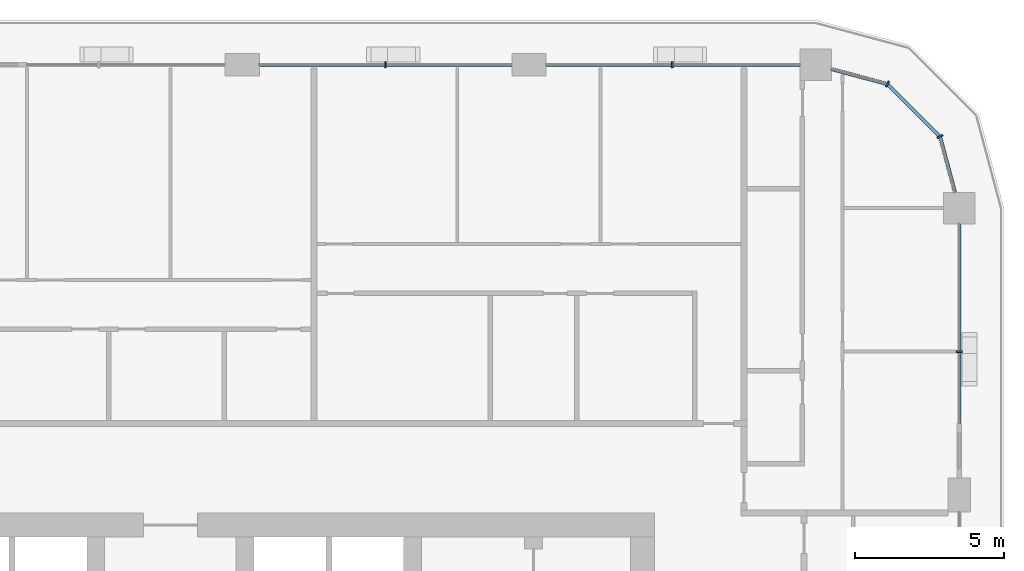
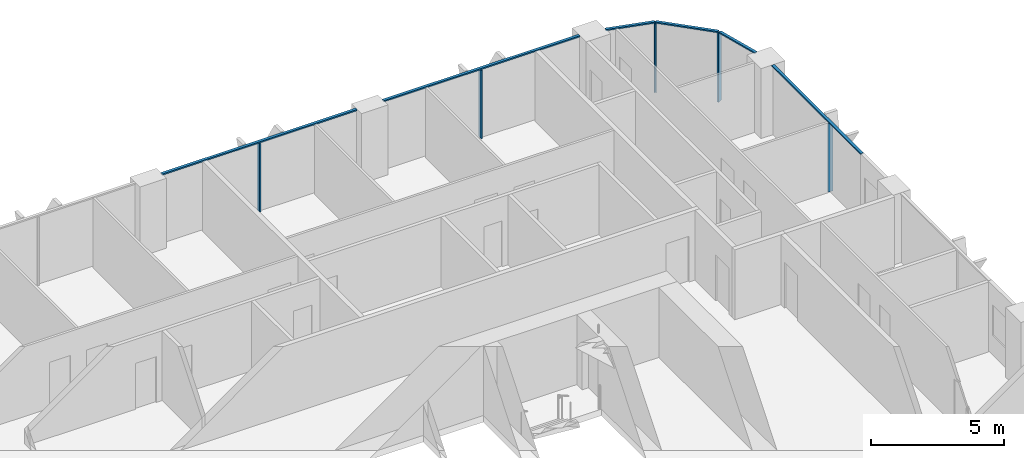
# One storey, part 6 of 23: 11 members, 4 elements without a shape of their own.
"""IFC4 building model written with IfcOpenShell, lengths in metres."""

from ifc_helpers import new_model, si_unit, direction, frame, origin, origin_2d, place, context, subcontext, project, spatial, rectangle, extrude, material, layer, layer_set, material_profile, profile_set, type_object, element, aggregate, save


model = new_model("IFC4")

# Units and contexts
model_context = context("Model", 3, precision=1e-05, world=origin(), true_north=direction((0.0, 1.0)))
body_context = subcontext(model_context, "Body", "Model", "MODEL_VIEW")
ifc_project = project(units=[si_unit("LENGTHUNIT", "METRE"), si_unit("AREAUNIT", "SQUARE_METRE"), si_unit("VOLUMEUNIT", "CUBIC_METRE"), si_unit("PLANEANGLEUNIT", "RADIAN"), si_unit("MASSUNIT", "GRAM", prefix="KILO")], contexts=[model_context])

# Site, building, storey
site_placement = place(None, origin())
site = spatial("IfcSite", under=ifc_project, at=site_placement, CompositionType="ELEMENT")
building_placement = place(site_placement, origin())
building = spatial("IfcBuilding", under=site, at=building_placement, Name="Madar Terraces", CompositionType="ELEMENT")
storey_placement = place(building_placement, frame((0.0, 0.0, 133.10009765625)))
storey = spatial("IfcBuildingStorey", under=building, at=storey_placement, Name="L34", CompositionType="ELEMENT", Elevation=133.10009765625)

# Curtain wall, member
ifc_material_1 = material(Name="Glass, ceramic frit dark grey, with black aluminium frame", Category="aluminium")
ifc_layer = layer(ifc_material_1, 0.199951171875)
ifc_layer_set = layer_set([ifc_layer], Name="Facade curtain wall, fritted glass")
curtain_wall_type = type_object("IfcCurtainWallType", Name="Facade curtain wall, fritted glass", PredefinedType="NOTDEFINED", material=ifc_layer_set)
curtain_wall_1_placement = place(storey_placement, origin())
curtain_wall_1 = element("IfcCurtainWall", 1, at=curtain_wall_1_placement, inside=storey, type_object=curtain_wall_type, Name="Outer skin curtain wall east bay 4", PredefinedType="NOTDEFINED")
ifc_material_2 = material(Name="Aluminium, black anodised", Category="aluminium")
ifc_material_profile_1 = material_profile(ifc_material_2, rectangle(XDim=0.199951171875, YDim=0.06005859375, at=origin_2d()), Name="Facade mullion 60x200")
ifc_profile_set_1 = profile_set([ifc_material_profile_1], Name="Aluminium, black anodised")
member_type_1 = type_object("IfcMemberType", Name="Facade mullion 60x200", PredefinedType="MULLION", material=ifc_profile_set_1)
member_1_placement = place(storey_placement, frame((57.60009765625, 43.199951171875, 0.0), z_axis=(0.0, 0.0, 1.0), x_axis=(-1.0, 0.0, 0.0)))
member_1 = element("IfcMember", 2, at=member_1_placement, type_object=member_type_1, Name="Mullion 1", PredefinedType="MULLION", context=body_context, shape_type="SweptSolid", body=[
    extrude(rectangle(XDim=0.199951171875, YDim=0.06005859375, at=origin_2d()), origin(), (0.0, 0.0, 1.0), 3.139892578125),
])

curtain_wall_2_placement = place(storey_placement, origin())
curtain_wall_2 = element("IfcCurtainWall", 3, at=curtain_wall_2_placement, inside=storey, type_object=curtain_wall_type, Name="Outer skin curtain wall north bay 1", PredefinedType="NOTDEFINED")
member_2_placement = place(storey_placement, frame((48.0, 52.800048828125, 0.0), z_axis=(0.0, 0.0, 1.0), x_axis=(0.0, -1.0, 0.0)))
member_2 = element("IfcMember", 4, at=member_2_placement, type_object=member_type_1, Name="Mullion 1", PredefinedType="MULLION", context=body_context, shape_type="SweptSolid", body=[
    extrude(rectangle(XDim=0.199951171875, YDim=0.06005859375, at=origin_2d()), origin(), (0.0, 0.0, 1.0), 3.139892578125),
])

curtain_wall_3_placement = place(storey_placement, origin())
curtain_wall_3 = element("IfcCurtainWall", 5, at=curtain_wall_3_placement, inside=storey, type_object=curtain_wall_type, Name="Outer skin curtain wall north bay 2", PredefinedType="NOTDEFINED")
member_3_placement = place(storey_placement, frame((38.39990234375, 52.800048828125, 0.0), z_axis=(0.0, 0.0, 1.0), x_axis=(0.0, -1.0, 0.0)))
member_3 = element("IfcMember", 6, at=member_3_placement, type_object=member_type_1, Name="Mullion 1", PredefinedType="MULLION", context=body_context, shape_type="SweptSolid", body=[
    extrude(rectangle(XDim=0.199951171875, YDim=0.06005859375, at=origin_2d()), origin(), (0.0, 0.0, 1.0), 3.139892578125),
])

# Curtain wall, members
curtain_wall_4_placement = place(storey_placement, origin())
curtain_wall_4 = element("IfcCurtainWall", 7, at=curtain_wall_4_placement, inside=storey, type_object=curtain_wall_type, Name="Outer skin curtain wall north-east corner", PredefinedType="NOTDEFINED")
member_4_placement = place(storey_placement, frame((56.95703125, 50.39990234375, 0.0), z_axis=(0.0, 0.0, 1.0), x_axis=(-0.866025409797, -0.499999989586, 0.0)))
member_4 = element("IfcMember", 8, at=member_4_placement, type_object=member_type_1, Name="Mullion 1", PredefinedType="MULLION", context=body_context, shape_type="SweptSolid", body=[
    extrude(rectangle(XDim=0.199951171875, YDim=0.06005859375, at=origin_2d()), origin(), (0.0, 0.0, 1.0), 3.139892578125),
])
member_5_placement = place(storey_placement, frame((55.199951171875, 52.156982421875, 0.0), z_axis=(0.0, 0.0, 1.0), x_axis=(-0.499999989586, -0.866025409797, 0.0)))
member_5 = element("IfcMember", 9, at=member_5_placement, type_object=member_type_1, Name="Mullion 2", PredefinedType="MULLION", context=body_context, shape_type="SweptSolid", body=[
    extrude(rectangle(XDim=0.199951171875, YDim=0.06005859375, at=origin_2d()), origin(), (0.0, 0.0, 1.0), 3.139892578125),
])

# Member
ifc_material_3 = material(Name="Aluminium, black anodised", Category="aluminium")
ifc_material_profile_2 = material_profile(ifc_material_3, rectangle(XDim=0.1201171875, YDim=0.06005859375, at=origin_2d()), Name="Facade transom 60x120")
ifc_profile_set_2 = profile_set([ifc_material_profile_2], Name="Aluminium, black anodised")
member_type_2 = type_object("IfcMemberType", Name="Facade transom 60x120", PredefinedType="USERDEFINED", material=ifc_profile_set_2)
member_6_placement = place(storey_placement, frame((57.60009765625, 40.800048828125, 3.169921875), z_axis=(0.0, 1.0, 0.0), x_axis=(-1.0, 0.0, 0.0)))
member_6 = element("IfcMember", 10, at=member_6_placement, type_object=member_type_2, Name="Transom 1", ObjectType="TRANSOM", PredefinedType="USERDEFINED", context=body_context, shape_type="SweptSolid", body=[
    extrude(rectangle(XDim=0.1201171875, YDim=0.06005859375, at=origin_2d()), origin(), (0.0, 0.0, 1.0), 6.675048828125),
])

aggregate(curtain_wall_1, [member_1, member_6])

member_7_placement = place(storey_placement, frame((52.27490234375, 52.800048828125, 3.169921875), z_axis=(-1.0, 0.0, 0.0), x_axis=(0.0, -1.0, 0.0)))
member_7 = element("IfcMember", 11, at=member_7_placement, type_object=member_type_2, Name="Transom 1", ObjectType="TRANSOM", PredefinedType="USERDEFINED", context=body_context, shape_type="SweptSolid", body=[
    extrude(rectangle(XDim=0.1201171875, YDim=0.06005859375, at=origin_2d()), origin(), (0.0, 0.0, 1.0), 8.5),
])

aggregate(curtain_wall_2, [member_2, member_7])

member_8_placement = place(storey_placement, frame((42.625, 52.800048828125, 3.169921875), z_axis=(-1.0, 0.0, 0.0), x_axis=(0.0, -1.0, 0.0)))
member_8 = element("IfcMember", 12, at=member_8_placement, type_object=member_type_2, Name="Transom 1", ObjectType="TRANSOM", PredefinedType="USERDEFINED", context=body_context, shape_type="SweptSolid", body=[
    extrude(rectangle(XDim=0.1201171875, YDim=0.06005859375, at=origin_2d()), origin(), (0.0, 0.0, 1.0), 8.449951171875),
])

aggregate(curtain_wall_3, [member_3, member_8])

member_9_placement = place(storey_placement, frame((57.459228515625, 48.52490234375, 3.169921875), z_axis=(-0.25879142023, 0.965933227928, 0.0), x_axis=(-0.965933227928, -0.25879142023, 0.0)))
member_9 = element("IfcMember", 13, at=member_9_placement, type_object=member_type_2, Name="Transom 1", ObjectType="TRANSOM", PredefinedType="USERDEFINED", context=body_context, shape_type="SweptSolid", body=[
    extrude(rectangle(XDim=0.1201171875, YDim=0.06005859375, at=origin_2d()), origin(), (0.0, 0.0, 1.0), 1.911376953125),
])

member_10_placement = place(storey_placement, frame((56.935791015625, 50.421142578125, 3.169921875), z_axis=(-0.707106781187, 0.707106781187, 0.0), x_axis=(-0.707106781187, -0.707106781187, 0.0)))
member_10 = element("IfcMember", 14, at=member_10_placement, type_object=member_type_2, Name="Transom 2", ObjectType="TRANSOM", PredefinedType="USERDEFINED", context=body_context, shape_type="SweptSolid", body=[
    extrude(rectangle(XDim=0.1201171875, YDim=0.06005859375, at=origin_2d()), origin(), (0.0, 0.0, 1.0), 2.4248046875),
])

member_11_placement = place(storey_placement, frame((55.171142578125, 52.164794921875, 3.169921875), z_axis=(-0.965933227928, 0.25879142023, 0.0), x_axis=(-0.25879142023, -0.965933227928, 0.0)))
member_11 = element("IfcMember", 15, at=member_11_placement, type_object=member_type_2, Name="Transom 3", ObjectType="TRANSOM", PredefinedType="USERDEFINED", context=body_context, shape_type="SweptSolid", body=[
    extrude(rectangle(XDim=0.1201171875, YDim=0.06005859375, at=origin_2d()), origin(), (0.0, 0.0, 1.0), 1.911376953125),
])

aggregate(curtain_wall_4, [member_4, member_9, member_5, member_10, member_11])

save(model, "model.ifc")
